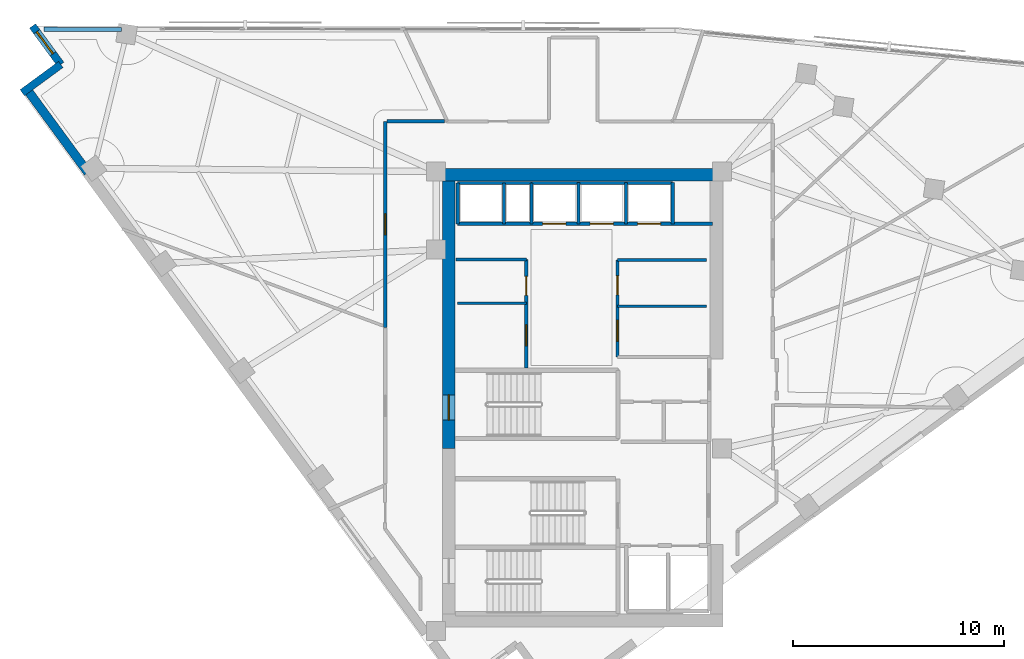
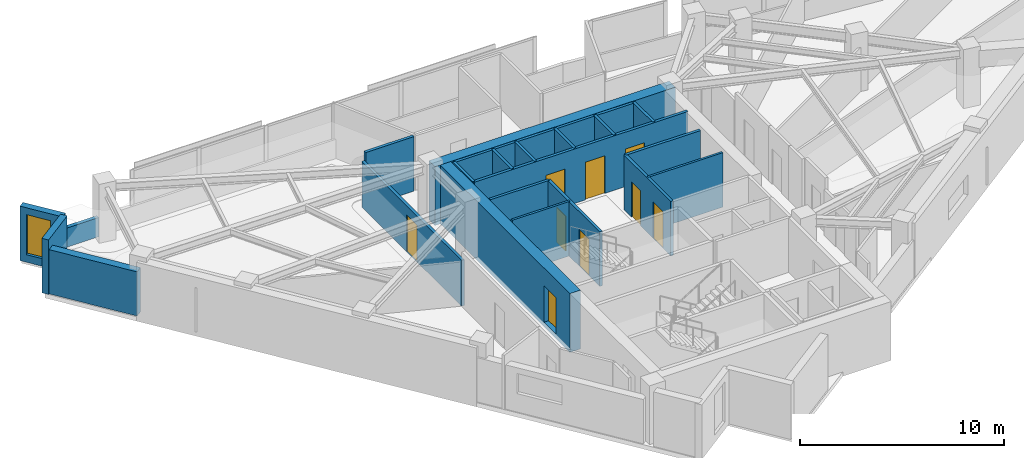
# One storey, part 9 of 14: 23 walls, 9 doors, 1 window, 10 openings.
"""IFC4 building model written with IfcOpenShell, lengths in metres."""

from ifc_helpers import new_model, si_unit, direction, frame, frame_2d, origin, place, context, subcontext, project, spatial, rectangle, extrude, material, layer, layer_set, type_object, element, fill, save


model = new_model("IFC4")

# Units and contexts
model_context = context("Model", 3, precision=1e-05, world=origin(), true_north=direction((0.0, 1.0)))
body_context = subcontext(model_context, "Body", "Model", "MODEL_VIEW")
ifc_project = project(units=[si_unit("LENGTHUNIT", "METRE"), si_unit("AREAUNIT", "SQUARE_METRE"), si_unit("VOLUMEUNIT", "CUBIC_METRE"), si_unit("PLANEANGLEUNIT", "RADIAN"), si_unit("MASSUNIT", "GRAM", prefix="KILO")], contexts=[model_context])

# Site, building, storey
site_placement = place(None, origin())
site = spatial("IfcSite", under=ifc_project, at=site_placement, CompositionType="ELEMENT")
building_placement = place(site_placement, origin())
building = spatial("IfcBuilding", under=site, at=building_placement, Name="Narakoshi Arena Tower", CompositionType="ELEMENT")
storey_placement = place(building_placement, frame((0.0, 0.0, 250.179931640625)))
storey = spatial("IfcBuildingStorey", under=building, at=storey_placement, Name="L68", CompositionType="ELEMENT", Elevation=250.179931640625)

# Wall, opening, door
ifc_material_1 = material(Name="Concrete C50/60", Category="concrete")
ifc_layer_1 = layer(ifc_material_1, 0.60009765625)
ifc_layer_set_1 = layer_set([ifc_layer_1], Name="Concrete C50/60")
wall_type_1 = type_object("IfcWallType", Name="WL-CORE-600", PredefinedType="SHEAR", material=ifc_layer_set_1)
wall_1_placement = place(storey_placement, frame((72.60009765625, 43.35009765625, -0.260009765625), z_axis=(0.0, 0.0, 1.0), x_axis=(0.0, 1.0, 0.0)))
wall_1 = element("IfcWall", 1, at=wall_1_placement, inside=storey, type_object=wall_type_1, Name="L68 Main Core Shear Wall CW-MN-W", PredefinedType="SHEAR", context=body_context, shape_type="SweptSolid", body=[
    extrude(rectangle(XDim=12.699951171875, YDim=0.60009765625, at=frame_2d((6.35009765625, 0.0))), origin(), (0.0, 0.0, 1.0), 3.52001953125),
])
opening_1_placement = place(wall_1_placement, frame((1.35009765625, 0.0, 0.260009765625)))
opening_1 = element("IfcOpeningElement", 2, at=opening_1_placement, cuts=wall_1, Name="Opening D-03", PredefinedType="OPENING", context=body_context, shape_type="SweptSolid", body=[
    extrude(rectangle(XDim=1.199951171875, YDim=2.199951171875, at=frame_2d((0.60009765625, 1.10009765625))), frame((0.0, 0.31005859375, 0.0), z_axis=(0.0, -1.0, 0.0), x_axis=(1.0, 0.0, 0.0)), (0.0, 0.0, 1.0), 0.6201171875),
])
ifc_material_2 = material(Name="Painted galvanized steel", Category="steel")
door_type_1 = type_object("IfcDoorType", Name="DR-STR-1200", OperationType="NOTDEFINED", PredefinedType="USERDEFINED", material=ifc_material_2)
door_1_placement = place(opening_1_placement, frame((1.199951171875, 0.0, 0.0), z_axis=(0.0, 0.0, 1.0), x_axis=(-1.0, 0.0, 0.0)))
door_1 = element("IfcDoor", 3, at=door_1_placement, inside=storey, type_object=door_type_1, Name="DR-L68-006", ObjectType="EXITDOOR", OperationType="SINGLE_SWING_LEFT", OverallHeight=2.199951171875, OverallWidth=1.199951171875, PredefinedType="USERDEFINED", context=body_context, shape_type="SweptSolid", body=[
    extrude(rectangle(XDim=1.199951171875, YDim=2.199951171875, at=frame_2d((0.60009765625, 1.10009765625))), frame((0.0, 0.02490234375, 0.0), z_axis=(0.0, -1.0, 0.0), x_axis=(1.0, 0.0, 0.0)), (0.0, 0.0, 1.0), 0.050048828125),
])
fill(opening_1, door_1)

# Wall
wall_2_placement = place(storey_placement, frame((72.0, 56.35009765625, -0.260009765625), z_axis=(0.0, 0.0, 1.0), x_axis=(1.0, 0.0, 0.0)))
element("IfcWall", 4, at=wall_2_placement, inside=storey, type_object=wall_type_1, Name="L68 Main Core Shear Wall CW-MN-N", PredefinedType="SHEAR", context=body_context, shape_type="SweptSolid", body=[
    extrude(rectangle(XDim=13.60009765625, YDim=0.60009765625, at=frame_2d((6.800048828125, 0.0))), origin(), (0.0, 0.0, 1.0), 3.52001953125),
])

# Wall, opening, door
ifc_material_3 = material(Name="Gypsum plasterboard fire-rated partition")
ifc_layer_2 = layer(ifc_material_3, 0.1650390625)
ifc_layer_set_2 = layer_set([ifc_layer_2], Name="Gypsum plasterboard fire-rated partition")
wall_type_2 = type_object("IfcWallType", Name="WL-CORR-165", PredefinedType="PARTITIONING", material=ifc_layer_set_2)
wall_3_placement = place(storey_placement, frame((69.573486328125, 58.87646484375, 0.0), z_axis=(0.0, 0.0, 1.0), x_axis=(0.0, -1.0, 0.0)))
wall_3 = element("IfcWall", 5, at=wall_3_placement, inside=storey, type_object=wall_type_2, Name="L68 Corridor Partition 08-1", PredefinedType="PARTITIONING", context=body_context, shape_type="SweptSolid", body=[
    extrude(rectangle(XDim=9.76806640625, YDim=0.1650390625, at=frame_2d((4.884033203125, 0.0))), origin(), (0.0, 0.0, 1.0), 2.7451171875),
])
opening_2_placement = place(wall_3_placement, frame((4.384033203125, 0.0, 0.0)))
opening_2 = element("IfcOpeningElement", 6, at=opening_2_placement, cuts=wall_3, Name="Opening D-06", PredefinedType="OPENING", context=body_context, shape_type="SweptSolid", body=[
    extrude(rectangle(XDim=1.0, YDim=2.199951171875, at=frame_2d((0.5, 1.10009765625))), frame((0.0, 0.092529296875, 0.0), z_axis=(0.0, -1.0, 0.0), x_axis=(1.0, 0.0, 0.0)), (0.0, 0.0, 1.0), 0.18505859375),
])
ifc_material_4 = material(Name="Stained oak solid-core timber", Category="wood")
door_type_2 = type_object("IfcDoorType", Name="DR-OFF-1000", OperationType="NOTDEFINED", PredefinedType="DOOR", material=ifc_material_4)
door_2_placement = place(opening_2_placement, frame((1.0, 0.0, 0.0), z_axis=(0.0, 0.0, 1.0), x_axis=(-1.0, 0.0, 0.0)))
door_2 = element("IfcDoor", 7, at=door_2_placement, inside=storey, type_object=door_type_2, Name="DR-L68-024", OperationType="SINGLE_SWING_LEFT", OverallHeight=2.199951171875, OverallWidth=1.0, PredefinedType="DOOR", context=body_context, shape_type="SweptSolid", body=[
    extrude(rectangle(XDim=1.0, YDim=2.199951171875, at=frame_2d((0.5, 1.10009765625))), frame((0.0, 0.02490234375, 0.0), z_axis=(0.0, -1.0, 0.0), x_axis=(1.0, 0.0, 0.0)), (0.0, 0.0, 1.0), 0.050048828125),
])
fill(opening_2, door_2)

# Walls
wall_4_placement = place(storey_placement, frame((72.4013671875, 58.87646484375, 0.0), z_axis=(0.0, 0.0, 1.0), x_axis=(-1.0, 0.0, 0.0)))
element("IfcWall", 8, at=wall_4_placement, inside=storey, type_object=wall_type_2, Name="L68 Corridor Partition 08-2", PredefinedType="PARTITIONING", context=body_context, shape_type="SweptSolid", body=[
    extrude(rectangle(XDim=2.733154296875, YDim=0.1650390625, at=frame_2d((1.36669921875, 0.0))), origin(), (0.0, 0.0, 1.0), 3.260009765625),
])
ifc_material_5 = material(Name="Precast concrete C45/55", Category="concrete")
ifc_layer_3 = layer(ifc_material_5, 0.25)
ifc_layer_set_3 = layer_set([ifc_layer_3], Name="Precast concrete C45/55")
wall_type_3 = type_object("IfcWallType", Name="WL-PARA-250", PredefinedType="PARAPET", material=ifc_layer_set_3)
wall_5_placement = place(storey_placement, frame((57.064208984375, 63.240966796875, 0.0), z_axis=(0.0, 0.0, 1.0), x_axis=(-0.999998274159, 0.001857869529, 0.0)))
element("IfcWall", 9, at=wall_5_placement, inside=storey, type_object=wall_type_3, Name="L68 Hypotenuse Sill Upstand Parapet 2-02", PredefinedType="PARAPET", context=body_context, shape_type="SweptSolid", body=[
    extrude(rectangle(XDim=3.679443359375, YDim=0.199951171875, at=frame_2d((1.83984375, 0.0))), origin(), (0.0, 0.0, 1.0), 1.150146484375),
])
ifc_layer_4 = layer(ifc_material_3, 0.125)
ifc_layer_set_4 = layer_set([ifc_layer_4], Name="Gypsum plasterboard fire-rated partition")
wall_type_4 = type_object("IfcWallType", Name="WL-PART-125", PredefinedType="PARTITIONING", material=ifc_layer_set_4)
wall_6_placement = place(storey_placement, frame((73.0, 50.25, 0.0), z_axis=(0.0, 0.0, 1.0), x_axis=(1.0, 0.0, 0.0)))
element("IfcWall", 10, at=wall_6_placement, inside=storey, type_object=wall_type_4, Name="L68 Core Wall RCL-LR-D2", PredefinedType="PARTITIONING", context=body_context, shape_type="SweptSolid", body=[
    extrude(rectangle(XDim=3.280029296875, YDim=0.125, at=frame_2d((1.64013671875, 0.0))), origin(), (0.0, 0.0, 1.0), 3.260009765625),
])
wall_7_placement = place(storey_placement, frame((80.60009765625, 50.10009765625, 0.0), z_axis=(0.0, 0.0, 1.0), x_axis=(1.0, 0.0, 0.0)))
element("IfcWall", 11, at=wall_7_placement, inside=storey, type_object=wall_type_4, Name="L68 Core Wall RCL-MR-D", PredefinedType="PARTITIONING", context=body_context, shape_type="SweptSolid", body=[
    extrude(rectangle(XDim=4.219970703125, YDim=0.125, at=frame_2d((2.10986328125, 0.0))), origin(), (0.0, 0.0, 1.0), 3.260009765625),
])
ifc_layer_5 = layer(ifc_material_5, 0.419921875)
ifc_layer_set_5 = layer_set([ifc_layer_5], Name="Precast concrete C45/55")
wall_type_5 = type_object("IfcWallType", Name="WL-POD-420", PredefinedType="SOLIDWALL", material=ifc_layer_set_5)
wall_8_placement = place(storey_placement, frame((52.578857421875, 60.400390625, 0.0), z_axis=(0.0, 0.0, 1.0), x_axis=(0.591311800505, -0.806443026248, 0.0)))
element("IfcWall", 12, at=wall_8_placement, inside=storey, type_object=wall_type_5, Name="L68 Architectural Concrete Facade Wall LEGB-1", PredefinedType="SOLIDWALL", context=body_context, shape_type="SweptSolid", body=[
    extrude(rectangle(XDim=4.89794921875, YDim=0.419921875, at=frame_2d((2.448974609375, 0.0))), origin(), (0.0, 0.0, 1.0), 2.64501953125),
])

# Wall, opening, window
wall_9_placement = place(storey_placement, frame((52.84521484375, 63.40869140625, 0.0), z_axis=(0.0, 0.0, 1.0), x_axis=(0.591251685745, -0.806487101015, 0.0)))
wall_9 = element("IfcWall", 13, at=wall_9_placement, inside=storey, type_object=wall_type_5, Name="L68 Re-Entrant Corner Notch Wall NTN-1", PredefinedType="SOLIDWALL", context=body_context, shape_type="SweptSolid", body=[
    extrude(rectangle(XDim=2.2685546875, YDim=0.360107421875, at=frame_2d((1.13427734375, 0.0))), origin(), (0.0, 0.0, 1.0), 3.260009765625),
])
opening_3_placement = place(wall_9_placement, frame((0.340087890625, 0.0, 0.449951171875)))
opening_3 = element("IfcOpeningElement", 14, at=opening_3_placement, cuts=wall_9, Name="Opening WN-06", PredefinedType="OPENING", context=body_context, shape_type="SweptSolid", body=[
    extrude(rectangle(XDim=1.300048828125, YDim=2.39990234375, at=frame_2d((0.64990234375, 1.199951171875))), frame((0.0, 0.18994140625, 0.0), z_axis=(0.0, -1.0, 0.0), x_axis=(1.0, 0.0, 0.0)), (0.0, 0.0, 1.0), 0.380126953125),
])
ifc_material_6 = material(Name="Bronze-tinted low-E laminated glass", Category="glass")
window_type = type_object("IfcWindowType", Name="WIN-NTC-16x24", PartitioningType="SINGLE_PANEL", PredefinedType="WINDOW", material=ifc_material_6)
window_placement = place(opening_3_placement, origin())
window = element("IfcWindow", 15, at=window_placement, inside=storey, type_object=window_type, Name="L68 Corner Notch Window NTN", OverallHeight=2.39990234375, OverallWidth=1.300048828125, PartitioningType="SINGLE_PANEL", PredefinedType="WINDOW", context=body_context, shape_type="SweptSolid", body=[
    extrude(rectangle(XDim=1.300048828125, YDim=2.39990234375, at=frame_2d((0.64990234375, 1.199951171875))), frame((0.0, 0.030029296875, 0.0), z_axis=(0.0, -1.0, 0.0), x_axis=(1.0, 0.0, 0.0)), (0.0, 0.0, 1.0), 0.06005859375),
])
fill(opening_3, window)

# Walls
wall_10_placement = place(storey_placement, frame((54.1865234375, 61.5791015625, 0.0), z_axis=(0.0, 0.0, 1.0), x_axis=(-0.806449475274, -0.591303005092, 0.0)))
element("IfcWall", 16, at=wall_10_placement, inside=storey, type_object=wall_type_5, Name="L68 Re-Entrant Corner Notch Wall NTN-2", PredefinedType="SOLIDWALL", context=body_context, shape_type="SweptSolid", body=[
    extrude(rectangle(XDim=2.268310546875, YDim=0.360107421875, at=frame_2d((1.13427734375, 0.0))), origin(), (0.0, 0.0, 1.0), 3.260009765625),
])
ifc_material_7 = material(Name="Concrete C40/50", Category="concrete")
ifc_layer_6 = layer(ifc_material_7, 0.280029296875)
ifc_layer_set_6 = layer_set([ifc_layer_6], Name="Concrete C40/50")
wall_type_6 = type_object("IfcWallType", Name="WL-RISER-280", PredefinedType="PLUMBINGWALL", material=ifc_layer_set_6)
for number, where, z_axis, x_axis, name in (
    (17, (73.02001953125, 54.02001953125, 0.0), (0.0, 0.0, 1.0), (0.0, 1.0, 0.0), "L68 Core Wall OBS-W"),
    (18, (75.219970703125, 54.02001953125, 0.0), (0.0, 0.0, 1.0), (0.0, 1.0, 0.0), "L68 Core Wall OBS-M"),
):
    element("IfcWall", number, at=place(storey_placement, frame(where, z_axis=z_axis, x_axis=x_axis)), inside=storey, type_object=wall_type_6, Name=name, PredefinedType="PLUMBINGWALL", context=body_context, shape_type="SweptSolid", body=[
        extrude(rectangle(XDim=1.93994140625, YDim=0.14990234375, at=frame_2d((0.969970703125, 0.0))), origin(), (0.0, 0.0, 1.0), 3.260009765625),
    ])
for number, where, z_axis, x_axis, name in (
    (19, (78.75, 54.02001953125, 0.0), (0.0, 0.0, 1.0), (0.0, 1.0, 0.0), "L68 Core Wall HR-D1"),
    (20, (81.0, 54.02001953125, 0.0), (0.0, 0.0, 1.0), (0.0, 1.0, 0.0), "L68 Core Wall HR-D2"),
):
    element("IfcWall", number, at=place(storey_placement, frame(where, z_axis=z_axis, x_axis=x_axis)), inside=storey, type_object=wall_type_6, Name=name, PredefinedType="PLUMBINGWALL", context=body_context, shape_type="SweptSolid", body=[
        extrude(rectangle(XDim=1.9599609375, YDim=0.14990234375, at=frame_2d((0.97998046875, 0.0))), origin(), (0.0, 0.0, 1.0), 3.260009765625),
    ])

# Wall, openings, doors
ifc_layer_7 = layer(ifc_material_1, 0.35009765625)
ifc_layer_set_7 = layer_set([ifc_layer_7], Name="Concrete C50/60")
wall_type_7 = type_object("IfcWallType", Name="WL-SHAFT-350", PredefinedType="SOLIDWALL", material=ifc_layer_set_7)
wall_11_placement = place(storey_placement, frame((76.280029296875, 47.179931640625, 0.0), z_axis=(0.0, 0.0, 1.0), x_axis=(0.0, 1.0, 0.0)))
wall_11 = element("IfcWall", 21, at=wall_11_placement, inside=storey, type_object=wall_type_7, Name="L68 Core Wall LR-E", PredefinedType="SOLIDWALL", context=body_context, shape_type="SweptSolid", body=[
    extrude(rectangle(XDim=5.14013671875, YDim=0.159912109375, at=frame_2d((2.570068359375, 0.0))), origin(), (0.0, 0.0, 1.0), 3.260009765625),
])
opening_4_placement = place(wall_11_placement, frame((1.050048828125, 0.0, 0.0)))
opening_4 = element("IfcOpeningElement", 22, at=opening_4_placement, cuts=wall_11, Name="Opening D-06", PredefinedType="OPENING", context=body_context, shape_type="SweptSolid", body=[
    extrude(rectangle(XDim=1.0, YDim=2.199951171875, at=frame_2d((0.5, 1.10009765625))), frame((0.0, 0.08984375, 0.0), z_axis=(0.0, -1.0, 0.0), x_axis=(1.0, 0.0, 0.0)), (0.0, 0.0, 1.0), 0.179931640625),
])
opening_5_placement = place(wall_11_placement, frame((3.449951171875, 0.0, 0.0)))
opening_5 = element("IfcOpeningElement", 23, at=opening_5_placement, cuts=wall_11, Name="Opening D-08", PredefinedType="OPENING", context=body_context, shape_type="SweptSolid", body=[
    extrude(rectangle(XDim=0.89990234375, YDim=2.10009765625, at=frame_2d((0.449951171875, 1.050048828125))), frame((0.0, 0.08984375, 0.0), z_axis=(0.0, -1.0, 0.0), x_axis=(1.0, 0.0, 0.0)), (0.0, 0.0, 1.0), 0.179931640625),
])
door_3_placement = place(opening_4_placement, frame((1.0, 0.0, 0.0), z_axis=(0.0, 0.0, 1.0), x_axis=(-1.0, 0.0, 0.0)))
door_3 = element("IfcDoor", 24, at=door_3_placement, inside=storey, type_object=door_type_2, Name="DR-L68-010", OperationType="SINGLE_SWING_RIGHT", OverallHeight=2.199951171875, OverallWidth=1.0, PredefinedType="DOOR", context=body_context, shape_type="SweptSolid", body=[
    extrude(rectangle(XDim=1.0, YDim=2.199951171875, at=frame_2d((0.5, 1.10009765625))), frame((0.0, 0.02490234375, 0.0), z_axis=(0.0, -1.0, 0.0), x_axis=(1.0, 0.0, 0.0)), (0.0, 0.0, 1.0), 0.050048828125),
])
fill(opening_4, door_3)
ifc_material_8 = material(Name="Moisture-resistant laminate timber", Category="wood")
door_type_3 = type_object("IfcDoorType", Name="DR-WC-900", OperationType="NOTDEFINED", PredefinedType="DOOR", material=ifc_material_8)
door_4_placement = place(opening_5_placement, frame((0.89990234375, 0.0, 0.0), z_axis=(0.0, 0.0, 1.0), x_axis=(-1.0, 0.0, 0.0)))
door_4 = element("IfcDoor", 25, at=door_4_placement, inside=storey, type_object=door_type_3, Name="DR-L68-011", OperationType="SINGLE_SWING_LEFT", OverallHeight=2.10009765625, OverallWidth=0.89990234375, PredefinedType="DOOR", context=body_context, shape_type="SweptSolid", body=[
    extrude(rectangle(XDim=0.89990234375, YDim=2.10009765625, at=frame_2d((0.449951171875, 1.050048828125))), frame((0.0, 0.02490234375, 0.0), z_axis=(0.0, -1.0, 0.0), x_axis=(1.0, 0.0, 0.0)), (0.0, 0.0, 1.0), 0.050048828125),
])
fill(opening_5, door_4)

# Wall
wall_12_placement = place(storey_placement, frame((72.949951171875, 52.320068359375, 0.0), z_axis=(0.0, 0.0, 1.0), x_axis=(1.0, 0.0, 0.0)))
element("IfcWall", 26, at=wall_12_placement, inside=storey, type_object=wall_type_7, Name="L68 Core Wall LR-N", PredefinedType="SOLIDWALL", context=body_context, shape_type="SweptSolid", body=[
    extrude(rectangle(XDim=3.330078125, YDim=0.14990234375, at=frame_2d((1.6650390625, 0.0))), origin(), (0.0, 0.0, 1.0), 3.260009765625),
])

# Wall, openings, doors
wall_13_placement = place(storey_placement, frame((80.60009765625, 47.699951171875, 0.0), z_axis=(0.0, 0.0, 1.0), x_axis=(0.0, 1.0, 0.0)))
wall_13 = element("IfcWall", 27, at=wall_13_placement, inside=storey, type_object=wall_type_7, Name="L68 Core Wall MR-W", PredefinedType="SOLIDWALL", context=body_context, shape_type="SweptSolid", body=[
    extrude(rectangle(XDim=4.60009765625, YDim=0.159912109375, at=frame_2d((2.300048828125, 0.0))), origin(), (0.0, 0.0, 1.0), 3.260009765625),
])
opening_6_placement = place(wall_13_placement, frame((0.75, 0.0, 0.0)))
opening_6 = element("IfcOpeningElement", 28, at=opening_6_placement, cuts=wall_13, Name="Opening D-06", PredefinedType="OPENING", context=body_context, shape_type="SweptSolid", body=[
    extrude(rectangle(XDim=1.0, YDim=2.199951171875, at=frame_2d((0.5, 1.10009765625))), frame((0.0, 0.08984375, 0.0), z_axis=(0.0, -1.0, 0.0), x_axis=(1.0, 0.0, 0.0)), (0.0, 0.0, 1.0), 0.179931640625),
])
opening_7_placement = place(wall_13_placement, frame((2.949951171875, 0.0, 0.0)))
opening_7 = element("IfcOpeningElement", 29, at=opening_7_placement, cuts=wall_13, Name="Opening D-08", PredefinedType="OPENING", context=body_context, shape_type="SweptSolid", body=[
    extrude(rectangle(XDim=0.89990234375, YDim=2.10009765625, at=frame_2d((0.449951171875, 1.050048828125))), frame((0.0, 0.08984375, 0.0), z_axis=(0.0, -1.0, 0.0), x_axis=(1.0, 0.0, 0.0)), (0.0, 0.0, 1.0), 0.179931640625),
])
door_5_placement = place(opening_6_placement, origin())
door_5 = element("IfcDoor", 30, at=door_5_placement, inside=storey, type_object=door_type_2, Name="DR-L68-012", OperationType="SINGLE_SWING_RIGHT", OverallHeight=2.199951171875, OverallWidth=1.0, PredefinedType="DOOR", context=body_context, shape_type="SweptSolid", body=[
    extrude(rectangle(XDim=1.0, YDim=2.199951171875, at=frame_2d((0.5, 1.10009765625))), frame((0.0, 0.02490234375, 0.0), z_axis=(0.0, -1.0, 0.0), x_axis=(1.0, 0.0, 0.0)), (0.0, 0.0, 1.0), 0.050048828125),
])
fill(opening_6, door_5)
door_6_placement = place(opening_7_placement, origin())
door_6 = element("IfcDoor", 31, at=door_6_placement, inside=storey, type_object=door_type_3, Name="DR-L68-013", OperationType="SINGLE_SWING_LEFT", OverallHeight=2.10009765625, OverallWidth=0.89990234375, PredefinedType="DOOR", context=body_context, shape_type="SweptSolid", body=[
    extrude(rectangle(XDim=0.89990234375, YDim=2.10009765625, at=frame_2d((0.449951171875, 1.050048828125))), frame((0.0, 0.02490234375, 0.0), z_axis=(0.0, -1.0, 0.0), x_axis=(1.0, 0.0, 0.0)), (0.0, 0.0, 1.0), 0.050048828125),
])
fill(opening_7, door_6)

# Wall
wall_14_placement = place(storey_placement, frame((80.60009765625, 52.300048828125, 0.0), z_axis=(0.0, 0.0, 1.0), x_axis=(1.0, 0.0, 0.0)))
element("IfcWall", 32, at=wall_14_placement, inside=storey, type_object=wall_type_7, Name="L68 Core Wall MR-N", PredefinedType="SOLIDWALL", context=body_context, shape_type="SweptSolid", body=[
    extrude(rectangle(XDim=4.219970703125, YDim=0.159912109375, at=frame_2d((2.10986328125, 0.0))), origin(), (0.0, 0.0, 1.0), 3.260009765625),
])

# Wall, openings, doors
wall_15_placement = place(storey_placement, frame((73.02001953125, 54.02001953125, 0.0), z_axis=(0.0, 0.0, 1.0), x_axis=(1.0, 0.0, 0.0)))
wall_15 = element("IfcWall", 33, at=wall_15_placement, inside=storey, type_object=wall_type_7, Name="L68 Core Wall NSHF-S", PredefinedType="SOLIDWALL", context=body_context, shape_type="SweptSolid", body=[
    extrude(rectangle(XDim=12.080078125, YDim=0.159912109375, at=frame_2d((6.0400390625, 0.0))), origin(), (0.0, 0.0, 1.0), 3.260009765625),
])
opening_8_placement = place(wall_15_placement, frame((4.030029296875, 0.0, 0.0)))
opening_8 = element("IfcOpeningElement", 34, at=opening_8_placement, cuts=wall_15, Name="Opening LD-01", PredefinedType="OPENING", context=body_context, shape_type="SweptSolid", body=[
    extrude(rectangle(XDim=1.10009765625, YDim=2.25, at=frame_2d((0.550048828125, 1.125))), frame((0.0, 0.08984375, 0.0), z_axis=(0.0, -1.0, 0.0), x_axis=(1.0, 0.0, 0.0)), (0.0, 0.0, 1.0), 0.179931640625),
])
opening_9_placement = place(wall_15_placement, frame((6.280029296875, 0.0, 0.0)))
opening_9 = element("IfcOpeningElement", 35, at=opening_9_placement, cuts=wall_15, Name="Opening LD-01", PredefinedType="OPENING", context=body_context, shape_type="SweptSolid", body=[
    extrude(rectangle(XDim=1.10009765625, YDim=2.25, at=frame_2d((0.550048828125, 1.125))), frame((0.0, 0.08984375, 0.0), z_axis=(0.0, -1.0, 0.0), x_axis=(1.0, 0.0, 0.0)), (0.0, 0.0, 1.0), 0.179931640625),
])
opening_10_placement = place(wall_15_placement, frame((8.530029296875, 0.0, 0.0)))
opening_10 = element("IfcOpeningElement", 36, at=opening_10_placement, cuts=wall_15, Name="Opening LD-01", PredefinedType="OPENING", context=body_context, shape_type="SweptSolid", body=[
    extrude(rectangle(XDim=1.10009765625, YDim=2.25, at=frame_2d((0.550048828125, 1.125))), frame((0.0, 0.08984375, 0.0), z_axis=(0.0, -1.0, 0.0), x_axis=(1.0, 0.0, 0.0)), (0.0, 0.0, 1.0), 0.179931640625),
])
ifc_material_9 = material(Name="Brushed bronze stainless steel", Category="steel")
door_type_4 = type_object("IfcDoorType", Name="DR-LFT-1100", OperationType="DOUBLE_DOOR_SLIDING", PredefinedType="DOOR", material=ifc_material_9)
door_7_placement = place(opening_8_placement, origin())
door_7 = element("IfcDoor", 37, at=door_7_placement, inside=storey, type_object=door_type_4, Name="DR-L68-014", OperationType="DOUBLE_DOOR_SLIDING", OverallHeight=2.25, OverallWidth=1.10009765625, PredefinedType="DOOR", context=body_context, shape_type="SweptSolid", body=[
    extrude(rectangle(XDim=1.10009765625, YDim=2.25, at=frame_2d((0.550048828125, 1.125))), frame((0.0, 0.02490234375, 0.0), z_axis=(0.0, -1.0, 0.0), x_axis=(1.0, 0.0, 0.0)), (0.0, 0.0, 1.0), 0.050048828125),
])
fill(opening_8, door_7)
door_8_placement = place(opening_9_placement, origin())
door_8 = element("IfcDoor", 38, at=door_8_placement, inside=storey, type_object=door_type_4, Name="DR-L68-015", OperationType="DOUBLE_DOOR_SLIDING", OverallHeight=2.25, OverallWidth=1.10009765625, PredefinedType="DOOR", context=body_context, shape_type="SweptSolid", body=[
    extrude(rectangle(XDim=1.10009765625, YDim=2.25, at=frame_2d((0.550048828125, 1.125))), frame((0.0, 0.02490234375, 0.0), z_axis=(0.0, -1.0, 0.0), x_axis=(1.0, 0.0, 0.0)), (0.0, 0.0, 1.0), 0.050048828125),
])
fill(opening_9, door_8)
door_9_placement = place(opening_10_placement, origin())
door_9 = element("IfcDoor", 39, at=door_9_placement, inside=storey, type_object=door_type_4, Name="DR-L68-016", OperationType="DOUBLE_DOOR_SLIDING", OverallHeight=2.25, OverallWidth=1.10009765625, PredefinedType="DOOR", context=body_context, shape_type="SweptSolid", body=[
    extrude(rectangle(XDim=1.10009765625, YDim=2.25, at=frame_2d((0.550048828125, 1.125))), frame((0.0, 0.02490234375, 0.0), z_axis=(0.0, -1.0, 0.0), x_axis=(1.0, 0.0, 0.0)), (0.0, 0.0, 1.0), 0.050048828125),
])
fill(opening_10, door_9)

# Walls
wall_16_placement = place(storey_placement, frame((73.02001953125, 55.9599609375, 0.0), z_axis=(0.0, 0.0, 1.0), x_axis=(1.0, 0.0, 0.0)))
element("IfcWall", 40, at=wall_16_placement, inside=storey, type_object=wall_type_7, Name="L68 Core Wall OBS-N", PredefinedType="SOLIDWALL", context=body_context, shape_type="SweptSolid", body=[
    extrude(rectangle(XDim=3.5, YDim=0.14990234375, at=frame_2d((1.75, 0.0))), origin(), (0.0, 0.0, 1.0), 3.260009765625),
])
wall_17_placement = place(storey_placement, frame((76.52001953125, 54.02001953125, 0.0), z_axis=(0.0, 0.0, 1.0), x_axis=(0.0, 1.0, 0.0)))
element("IfcWall", 41, at=wall_17_placement, inside=storey, type_object=wall_type_7, Name="L68 Core Wall OBS-E", PredefinedType="SOLIDWALL", context=body_context, shape_type="SweptSolid", body=[
    extrude(rectangle(XDim=1.93994140625, YDim=0.14990234375, at=frame_2d((0.969970703125, 0.0))), origin(), (0.0, 0.0, 1.0), 3.260009765625),
])
wall_18_placement = place(storey_placement, frame((83.219970703125, 54.02001953125, 0.0), z_axis=(0.0, 0.0, 1.0), x_axis=(0.0, 1.0, 0.0)))
element("IfcWall", 42, at=wall_18_placement, inside=storey, type_object=wall_type_7, Name="L68 Core Wall HR-E", PredefinedType="SOLIDWALL", context=body_context, shape_type="SweptSolid", body=[
    extrude(rectangle(XDim=1.9599609375, YDim=0.14990234375, at=frame_2d((0.97998046875, 0.0))), origin(), (0.0, 0.0, 1.0), 3.260009765625),
])
wall_19_placement = place(storey_placement, frame((76.52001953125, 55.9599609375, 0.0), z_axis=(0.0, 0.0, 1.0), x_axis=(1.0, 0.0, 0.0)))
element("IfcWall", 43, at=wall_19_placement, inside=storey, type_object=wall_type_7, Name="L68 Core Wall HR-N", PredefinedType="SOLIDWALL", context=body_context, shape_type="SweptSolid", body=[
    extrude(rectangle(XDim=6.699951171875, YDim=0.14990234375, at=frame_2d((3.35009765625, 0.0))), origin(), (0.0, 0.0, 1.0), 3.260009765625),
])

save(model, "model.ifc")
